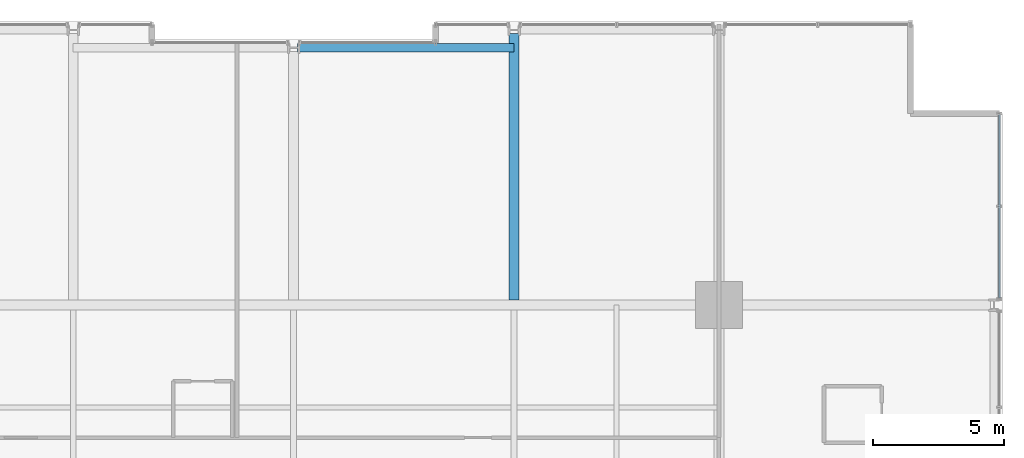
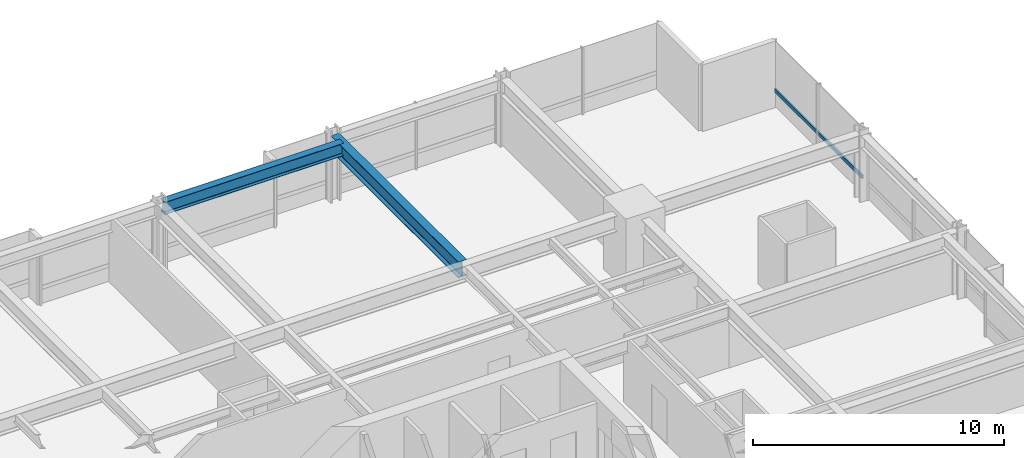
# One storey, part 26 of 37: 2 beams, 1 member, 1 element without a shape of its own.
"""IFC4 building model written with IfcOpenShell, lengths in metres."""

from ifc_helpers import new_model, si_unit, direction, frame, origin, origin_2d, place, context, subcontext, project, spatial, hollow_rectangle, i_section, extrude, material, layer, layer_set, material_profile, profile_set, type_object, element, aggregate, save


model = new_model("IFC4")

# Units and contexts
model_context = context("Model", 3, precision=1e-05, world=origin(), true_north=direction((0.0, 1.0)))
body_context = subcontext(model_context, "Body", "Model", "MODEL_VIEW")
ifc_project = project(units=[si_unit("LENGTHUNIT", "METRE"), si_unit("AREAUNIT", "SQUARE_METRE"), si_unit("VOLUMEUNIT", "CUBIC_METRE"), si_unit("PLANEANGLEUNIT", "RADIAN"), si_unit("MASSUNIT", "GRAM", prefix="KILO")], contexts=[model_context])

# Site, building, storey
site_placement = place(None, origin())
site = spatial("IfcSite", under=ifc_project, at=site_placement, CompositionType="ELEMENT")
building_placement = place(site_placement, origin())
building = spatial("IfcBuilding", under=site, at=building_placement, Name="Drelvath Grand Hotel", CompositionType="ELEMENT")
storey_placement = place(building_placement, frame((0.0, 0.0, 75.199951171875)))
storey = spatial("IfcBuildingStorey", under=building, at=storey_placement, Name="L18", CompositionType="ELEMENT", Elevation=75.199951171875)

# Curtain wall, member
ifc_material_1 = material(Name="Warm Bronze Anodised Aluminium Frame", Category="aluminium")
ifc_layer = layer(ifc_material_1, 0.199951171875)
ifc_layer_set = layer_set([ifc_layer], Name="Warm Bronze Anodised Aluminium Frame")
curtain_wall_type = type_object("IfcCurtainWallType", Name="Stick Curtain Wall CW-02 Warm Bronze Low-Rise", PredefinedType="NOTDEFINED", material=ifc_layer_set)
curtain_wall_placement = place(storey_placement, origin())
curtain_wall = element("IfcCurtainWall", 1, at=curtain_wall_placement, inside=storey, type_object=curtain_wall_type, Name="L18 CW-02 Curtain Wall CW02-L18-EN3", PredefinedType="NOTDEFINED")
ifc_material_profile_1 = material_profile(ifc_material_1, hollow_rectangle(XDim=0.074951171875, YDim=0.179931640625, WallThickness=0.0048828125, at=origin_2d()), Name="HSS180X75X5")
ifc_profile_set_1 = profile_set([ifc_material_profile_1], Name="Warm Bronze Anodised Aluminium Frame")
member_type = type_object("IfcMemberType", Name="Curtain Wall Horizontal Transom CW-02 HSS180X75X5", PredefinedType="USERDEFINED", material=ifc_profile_set_1)
member_placement = place(storey_placement, frame((26.8798828125, 50.4599609375, 0.81005859375), z_axis=(0.0, -1.0, 0.0), x_axis=(1.0, 0.0, 0.0)))
member = element("IfcMember", 2, at=member_placement, type_object=member_type, Name="CW02-L18-EN3 Sill Transom", ObjectType="TRANSOM", PredefinedType="USERDEFINED", context=body_context, shape_type="SweptSolid", body=[
    extrude(hollow_rectangle(XDim=0.074951171875, YDim=0.179931640625, WallThickness=0.0048828125, at=origin_2d()), origin(), (0.0, 0.0, 1.0), 6.990966796875),
])
aggregate(curtain_wall, [member])

# Beams
ifc_material_2 = material(Name="Steel ASTM A992 Gr 50", Category="steel")
ifc_material_profile_2 = material_profile(ifc_material_2, i_section(OverallWidth=0.323974609375, OverallDepth=0.611083984375, WebThickness=0.0126953125, FlangeThickness=0.01904296875, FilletRadius=0.02197265625, at=origin_2d()), Name="W24X104")
ifc_profile_set_2 = profile_set([ifc_material_profile_2], Name="Steel ASTM A992 Gr 50")
beam_type_1 = type_object("IfcBeamType", Name="Perimeter Spandrel Beam W24X104", PredefinedType="SPANDREL", material=ifc_profile_set_2)
beam_1_placement = place(storey_placement, frame((0.139892578125, 53.0, 2.9345703125), z_axis=(1.0, 0.0, 0.0), x_axis=(0.0, 1.0, 0.0)))
element("IfcBeam", 3, at=beam_1_placement, inside=storey, type_object=beam_type_1, Name="L18 Spandrel North Mid E", PredefinedType="SPANDREL", context=body_context, shape_type="SweptSolid", body=[
    extrude(i_section(OverallWidth=0.323974609375, OverallDepth=0.611083984375, WebThickness=0.0126953125, FlangeThickness=0.01904296875, FilletRadius=0.02197265625, at=origin_2d()), origin(), (0.0, 0.0, 1.0), 8.260009765625),
])
ifc_material_profile_3 = material_profile(ifc_material_2, i_section(OverallWidth=0.380615234375, OverallDepth=0.773193359375, WebThickness=0.0166015625, FlangeThickness=0.027099609375, FilletRadius=0.02490234375, at=origin_2d()), Name="W30X173")
ifc_profile_set_3 = profile_set([ifc_material_profile_3], Name="Steel ASTM A992 Gr 50")
beam_type_2 = type_object("IfcBeamType", Name="Primary Floor Girder W30X173", PredefinedType="BEAM", material=ifc_profile_set_3)
beam_2_placement = place(storey_placement, frame((8.39990234375, 43.390380859375, 2.853515625), z_axis=(0.0, 1.0, 0.0), x_axis=(-1.0, 0.0, 0.0)))
element("IfcBeam", 4, at=beam_2_placement, inside=storey, type_object=beam_type_2, Name="L18 North Wing Girder 6", PredefinedType="BEAM", context=body_context, shape_type="SweptSolid", body=[
    extrude(i_section(OverallWidth=0.380615234375, OverallDepth=0.773193359375, WebThickness=0.0166015625, FlangeThickness=0.027099609375, FilletRadius=0.02490234375, at=origin_2d()), origin(), (0.0, 0.0, 1.0), 10.149658203125),
])

save(model, "model.ifc")
